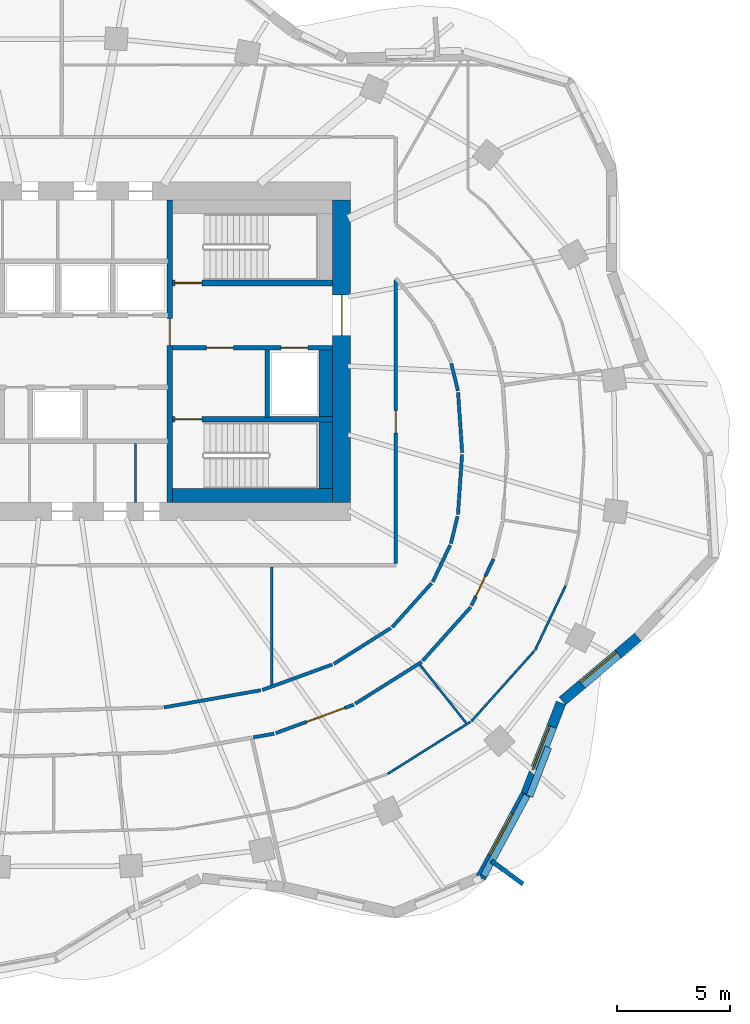
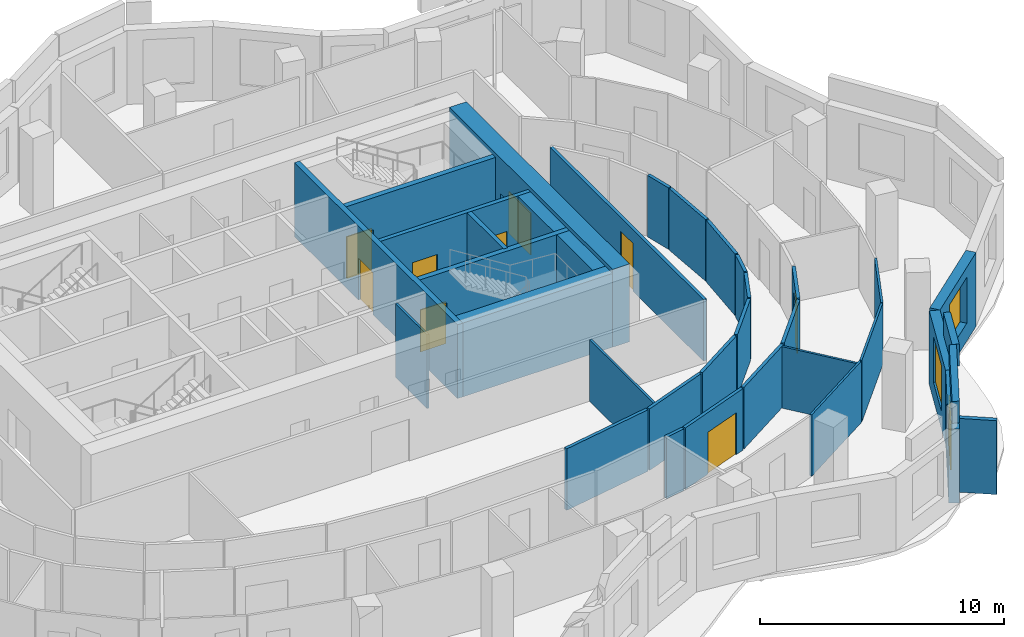
# One storey, part 8 of 13: 36 walls, 9 doors, 3 windows, 12 openings.
"""IFC4 building model written with IfcOpenShell, lengths in metres."""

from ifc_helpers import new_model, si_unit, direction, frame, frame_2d, origin, place, context, subcontext, project, spatial, rectangle, extrude, material, layer, layer_set, type_object, element, fill, save


model = new_model("IFC4")

# Units and contexts
model_context = context("Model", 3, precision=1e-05, world=origin(), true_north=direction((0.0, 1.0)))
body_context = subcontext(model_context, "Body", "Model", "MODEL_VIEW")
ifc_project = project(units=[si_unit("LENGTHUNIT", "METRE"), si_unit("AREAUNIT", "SQUARE_METRE"), si_unit("VOLUMEUNIT", "CUBIC_METRE"), si_unit("PLANEANGLEUNIT", "RADIAN"), si_unit("MASSUNIT", "GRAM", prefix="KILO")], contexts=[model_context])

# Site, building, storey
site_placement = place(None, origin())
site = spatial("IfcSite", under=ifc_project, at=site_placement, CompositionType="ELEMENT")
building_placement = place(site_placement, origin())
building = spatial("IfcBuilding", under=site, at=building_placement, Name="Rubra Terraces Tower", CompositionType="ELEMENT")
storey_placement = place(building_placement, frame((0.0, 0.0, 189.60009765625)))
storey = spatial("IfcBuildingStorey", under=building, at=storey_placement, Name="L46", CompositionType="ELEMENT", Elevation=189.60009765625)

# Wall, opening, window
ifc_material_1 = material(Name="Brick masonry red-brown", Category="masonry")
ifc_layer_1 = layer(ifc_material_1, 0.449951171875)
ifc_layer_set_1 = layer_set([ifc_layer_1], Name="Brick masonry red-brown")
wall_type_1 = type_object("IfcWallType", Name="Brick facade wall 450", PredefinedType="SOLIDWALL", material=ifc_layer_set_1)
wall_1_placement = place(storey_placement, frame((18.767333984375, -18.8544921875, 0.0), z_axis=(0.0, 0.0, 1.0), x_axis=(0.474475888716, 0.880268499395, 0.0)))
wall_1 = element("IfcWall", 1, at=wall_1_placement, inside=storey, type_object=wall_type_1, Name="Facade wall L46 bay 36", PredefinedType="SOLIDWALL", context=body_context, shape_type="SweptSolid", body=[
    extrude(rectangle(XDim=4.21923828125, YDim=0.449951171875, at=frame_2d((2.109619140625, 0.0))), origin(), (0.0, 0.0, 1.0), 3.699951171875),
])
opening_1_placement = place(wall_1_placement, frame((1.059814453125, 0.0, 0.89990234375)))
opening_1 = element("IfcOpeningElement", 2, at=opening_1_placement, cuts=wall_1, Name="Opening W1B", PredefinedType="OPENING", context=body_context, shape_type="SweptSolid", body=[
    extrude(rectangle(XDim=2.10009765625, YDim=2.300048828125, at=frame_2d((1.050048828125, 1.14990234375))), frame((0.0, 0.23486328125, 0.0), z_axis=(0.0, -1.0, 0.0), x_axis=(1.0, 0.0, 0.0)), (0.0, 0.0, 1.0), 0.469970703125),
])
ifc_material_2 = material(Name="Clear glass in aluminium frame", Category="aluminium")
window_type = type_object("IfcWindowType", Name="Fixed deep-set window tall storey 2100 x 2300", PartitioningType="SINGLE_PANEL", PredefinedType="WINDOW", material=ifc_material_2)
window_1_placement = place(opening_1_placement, origin())
window_1 = element("IfcWindow", 3, at=window_1_placement, inside=storey, type_object=window_type, Name="Window L46 bay 36", OverallHeight=2.300048828125, OverallWidth=2.10009765625, PartitioningType="SINGLE_PANEL", PredefinedType="WINDOW", context=body_context, shape_type="SweptSolid", body=[
    extrude(rectangle(XDim=2.10009765625, YDim=2.300048828125, at=frame_2d((1.050048828125, 1.14990234375))), frame((0.0, 0.135009765625, 0.0), z_axis=(0.0, -1.0, 0.0), x_axis=(1.0, 0.0, 0.0)), (0.0, 0.0, 1.0), 0.06005859375),
])
fill(opening_1, window_1)

wall_2_placement = place(storey_placement, frame((20.757080078125, -15.166015625, 0.0), z_axis=(0.0, 0.0, 1.0), x_axis=(0.360067043581, 0.932926430179, 0.0)))
wall_2 = element("IfcWall", 4, at=wall_2_placement, inside=storey, type_object=wall_type_1, Name="Facade wall L46 bay 37", PredefinedType="SOLIDWALL", context=body_context, shape_type="SweptSolid", body=[
    extrude(rectangle(XDim=4.35986328125, YDim=0.449951171875, at=frame_2d((2.179931640625, 0.0))), origin(), (0.0, 0.0, 1.0), 3.699951171875),
])
opening_2_placement = place(wall_2_placement, frame((1.1298828125, 0.0, 0.89990234375)))
opening_2 = element("IfcOpeningElement", 5, at=opening_2_placement, cuts=wall_2, Name="Opening W1B", PredefinedType="OPENING", context=body_context, shape_type="SweptSolid", body=[
    extrude(rectangle(XDim=2.10009765625, YDim=2.300048828125, at=frame_2d((1.050048828125, 1.14990234375))), frame((0.0, 0.23486328125, 0.0), z_axis=(0.0, -1.0, 0.0), x_axis=(1.0, 0.0, 0.0)), (0.0, 0.0, 1.0), 0.469970703125),
])
window_2_placement = place(opening_2_placement, origin())
window_2 = element("IfcWindow", 6, at=window_2_placement, inside=storey, type_object=window_type, Name="Window L46 bay 37", OverallHeight=2.300048828125, OverallWidth=2.10009765625, PartitioningType="SINGLE_PANEL", PredefinedType="WINDOW", context=body_context, shape_type="SweptSolid", body=[
    extrude(rectangle(XDim=2.10009765625, YDim=2.300048828125, at=frame_2d((1.050048828125, 1.14990234375))), frame((0.0, 0.135009765625, 0.0), z_axis=(0.0, -1.0, 0.0), x_axis=(1.0, 0.0, 0.0)), (0.0, 0.0, 1.0), 0.06005859375),
])
fill(opening_2, window_2)

wall_3_placement = place(storey_placement, frame((22.385986328125, -11.014404296875, 0.0), z_axis=(0.0, 0.0, 1.0), x_axis=(0.763569952162, 0.645725118108, 0.0)))
wall_3 = element("IfcWall", 7, at=wall_3_placement, inside=storey, type_object=wall_type_1, Name="Facade wall L46 bay 38", PredefinedType="SOLIDWALL", context=body_context, shape_type="SweptSolid", body=[
    extrude(rectangle(XDim=4.3857421875, YDim=0.449951171875, at=frame_2d((2.19287109375, 0.0))), origin(), (0.0, 0.0, 1.0), 3.699951171875),
])
opening_3_placement = place(wall_3_placement, frame((1.14306640625, 0.0, 0.89990234375)))
opening_3 = element("IfcOpeningElement", 8, at=opening_3_placement, cuts=wall_3, Name="Opening W1B", PredefinedType="OPENING", context=body_context, shape_type="SweptSolid", body=[
    extrude(rectangle(XDim=2.10009765625, YDim=2.300048828125, at=frame_2d((1.050048828125, 1.14990234375))), frame((0.0, 0.23486328125, 0.0), z_axis=(0.0, -1.0, 0.0), x_axis=(1.0, 0.0, 0.0)), (0.0, 0.0, 1.0), 0.469970703125),
])
window_3_placement = place(opening_3_placement, origin())
window_3 = element("IfcWindow", 9, at=window_3_placement, inside=storey, type_object=window_type, Name="Window L46 bay 38", OverallHeight=2.300048828125, OverallWidth=2.10009765625, PartitioningType="SINGLE_PANEL", PredefinedType="WINDOW", context=body_context, shape_type="SweptSolid", body=[
    extrude(rectangle(XDim=2.10009765625, YDim=2.300048828125, at=frame_2d((1.050048828125, 1.14990234375))), frame((0.0, 0.135009765625, 0.0), z_axis=(0.0, -1.0, 0.0), x_axis=(1.0, 0.0, 0.0)), (0.0, 0.0, 1.0), 0.06005859375),
])
fill(opening_3, window_3)

# Walls
ifc_layer_2 = layer(ifc_material_1, 0.300048828125)
ifc_layer_set_2 = layer_set([ifc_layer_2], Name="Brick masonry red-brown")
wall_type_2 = type_object("IfcWallType", Name="Brick parapet 300", PredefinedType="PARAPET", material=ifc_layer_set_2)
wall_4_placement = place(storey_placement, frame((18.896484375, -18.7734375, 3.89990234375), z_axis=(0.0, 0.0, 1.0), x_axis=(0.474444905835, 0.880285198857, 0.0)))
element("IfcWall", 10, at=wall_4_placement, inside=storey, type_object=wall_type_2, Name="Parapet L46 bay 36", PredefinedType="PARAPET", context=body_context, shape_type="SweptSolid", body=[
    extrude(rectangle(XDim=4.0498046875, YDim=0.300048828125, at=frame_2d((2.02490234375, 0.0))), origin(), (0.0, 0.0, 1.0), 1.10009765625),
])
wall_5_placement = place(storey_placement, frame((20.932861328125, -15.236572265625, 3.89990234375), z_axis=(0.0, 0.0, 1.0), x_axis=(0.360021038217, 0.932944184848, 0.0)))
element("IfcWall", 11, at=wall_5_placement, inside=storey, type_object=wall_type_2, Name="Parapet L46 bay 37", PredefinedType="PARAPET", context=body_context, shape_type="SweptSolid", body=[
    extrude(rectangle(XDim=2.3232421875, YDim=0.300048828125, at=frame_2d((1.16162109375, 0.0))), origin(), (0.0, 0.0, 1.0), 1.10009765625),
])
ifc_layer_3 = layer(ifc_material_1, 0.199951171875)
ifc_layer_set_3 = layer_set([ifc_layer_3], Name="Brick masonry red-brown")
wall_type_3 = type_object("IfcWallType", Name="Brick wind fin 200", PredefinedType="SOLIDWALL", material=ifc_layer_set_3)
wall_6_placement = place(storey_placement, frame((19.23095703125, -18.09912109375, 0.0), z_axis=(0.0, 0.0, 1.0), x_axis=(0.806085538754, -0.591799040394, 0.0)))
element("IfcWall", 12, at=wall_6_placement, inside=storey, type_object=wall_type_3, Name="Wind fin L46 17", PredefinedType="SOLIDWALL", context=body_context, shape_type="SweptSolid", body=[
    extrude(rectangle(XDim=1.75, YDim=0.199951171875, at=frame_2d((0.875, 0.0))), origin(), (0.0, 0.0, 1.0), 3.699951171875),
])

# Wall, opening, door
ifc_material_3 = material(Name="Concrete C50", Category="concrete")
ifc_layer_4 = layer(ifc_material_3, 0.800048828125)
ifc_layer_set_4 = layer_set([ifc_layer_4], Name="Concrete C50")
wall_type_4 = type_object("IfcWallType", Name="CORE WALL 800 C50", PredefinedType="SHEAR", material=ifc_layer_set_4)
wall_7_placement = place(storey_placement, frame((12.60009765625, -2.199951171875, 0.0), z_axis=(0.0, 0.0, 1.0), x_axis=(0.0, 1.0, 0.0)))
wall_7 = element("IfcWall", 13, at=wall_7_placement, inside=storey, type_object=wall_type_4, Name="CORE WALL E L46", PredefinedType="SHEAR", context=body_context, shape_type="SweptSolid", body=[
    extrude(rectangle(XDim=13.39990234375, YDim=0.800048828125, at=frame_2d((6.699951171875, 0.0))), origin(), (0.0, 0.0, 1.0), 3.89990234375),
])
opening_4_placement = place(wall_7_placement, frame((7.39990234375, 0.0, 0.0)))
opening_4 = element("IfcOpeningElement", 14, at=opening_4_placement, cuts=wall_7, Name="Opening L46.C02", PredefinedType="OPENING", context=body_context, shape_type="SweptSolid", body=[
    extrude(rectangle(XDim=1.800048828125, YDim=2.10009765625, at=frame_2d((0.89990234375, 1.050048828125))), frame((0.0, 0.409912109375, 0.0), z_axis=(0.0, -1.0, 0.0), x_axis=(1.0, 0.0, 0.0)), (0.0, 0.0, 1.0), 0.820068359375),
])
ifc_material_4 = material(Name="Painted steel", Category="steel")
door_type_1 = type_object("IfcDoorType", Name="Fire door 1800x2100 double", OperationType="NOTDEFINED", PredefinedType="DOOR", material=ifc_material_4)
door_1_placement = place(opening_4_placement, origin())
door_1 = element("IfcDoor", 15, at=door_1_placement, inside=storey, type_object=door_type_1, Name="Core entrance door FF2", OperationType="DOUBLE_DOOR_SINGLE_SWING", OverallHeight=2.10009765625, OverallWidth=1.800048828125, PredefinedType="DOOR", context=body_context, shape_type="SweptSolid", body=[
    extrude(rectangle(XDim=1.800048828125, YDim=2.10009765625, at=frame_2d((0.89990234375, 1.050048828125))), frame((0.0, 0.02490234375, 0.0), z_axis=(0.0, -1.0, 0.0), x_axis=(1.0, 0.0, 0.0)), (0.0, 0.0, 1.0), 0.050048828125),
])
fill(opening_4, door_1)

# Wall
ifc_material_5 = material(Name="Plasterboard on steel stud, mineral wool infill", Category="steel")
ifc_layer_5 = layer(ifc_material_5, 0.14990234375)
ifc_layer_set_5 = layer_set([ifc_layer_5], Name="Plasterboard on steel stud, mineral wool infill")
wall_type_5 = type_object("IfcWallType", Name="CORRIDOR PARTITION 150", PredefinedType="PARTITIONING", material=ifc_layer_set_5)
wall_8_placement = place(storey_placement, frame((8.684326171875, -12.626953125, 0.0), z_axis=(0.0, 0.0, 1.0), x_axis=(0.984625439098, 0.174678976069, 0.0)))
element("IfcWall", 16, at=wall_8_placement, inside=storey, type_object=wall_type_5, Name="PARTITION", PredefinedType="PARTITIONING", context=body_context, shape_type="SweptSolid", body=[
    extrude(rectangle(XDim=0.93505859375, YDim=0.14990234375, at=frame_2d((0.467529296875, 0.0))), origin(), (0.0, 0.0, 1.0), 3.083984375),
])

# Wall, opening, door
wall_9_placement = place(storey_placement, frame((9.675537109375, -12.43798828125, 0.0), z_axis=(0.0, 0.0, 1.0), x_axis=(0.939640289748, 0.342163887461, 0.0)))
wall_9 = element("IfcWall", 17, at=wall_9_placement, inside=storey, type_object=wall_type_5, Name="PARTITION", PredefinedType="PARTITIONING", context=body_context, shape_type="SweptSolid", body=[
    extrude(rectangle(XDim=3.6796875, YDim=0.14990234375, at=frame_2d((1.83984375, 0.0))), origin(), (0.0, 0.0, 1.0), 3.083984375),
])
opening_5_placement = place(wall_9_placement, frame((1.449951171875, 0.0, 0.0)))
opening_5 = element("IfcOpeningElement", 18, at=opening_5_placement, cuts=wall_9, Name="Opening 46-112", PredefinedType="OPENING", context=body_context, shape_type="SweptSolid", body=[
    extrude(rectangle(XDim=1.800048828125, YDim=2.10009765625, at=frame_2d((0.89990234375, 1.050048828125))), frame((0.0, 0.0849609375, 0.0), z_axis=(0.0, -1.0, 0.0), x_axis=(1.0, 0.0, 0.0)), (0.0, 0.0, 1.0), 0.169921875),
])
ifc_material_6 = material(Name="Painted timber door leaf, double", Category="wood")
door_type_2 = type_object("IfcDoorType", Name="ROOM DOUBLE DOOR 1800 X 2100", OperationType="DOUBLE_DOOR_SINGLE_SWING", PredefinedType="DOOR", material=ifc_material_6)
door_2_placement = place(opening_5_placement, origin())
door_2 = element("IfcDoor", 19, at=door_2_placement, inside=storey, type_object=door_type_2, Name="DOOR 46-112", OperationType="DOUBLE_DOOR_SINGLE_SWING", OverallHeight=2.10009765625, OverallWidth=1.800048828125, PredefinedType="DOOR", context=body_context, shape_type="SweptSolid", body=[
    extrude(rectangle(XDim=1.800048828125, YDim=2.10009765625, at=frame_2d((0.89990234375, 1.050048828125))), frame((0.0, 0.02490234375, 0.0), z_axis=(0.0, -1.0, 0.0), x_axis=(1.0, 0.0, 0.0)), (0.0, 0.0, 1.0), 0.050048828125),
])
fill(opening_5, door_2)

# Walls
wall_10_placement = place(storey_placement, frame((13.196533203125, -11.138916015625, 0.0), z_axis=(0.0, 0.0, 1.0), x_axis=(0.846390903833, 0.532562144644, 0.0)))
element("IfcWall", 20, at=wall_10_placement, inside=storey, type_object=wall_type_5, Name="PARTITION", PredefinedType="PARTITIONING", context=body_context, shape_type="SweptSolid", body=[
    extrude(rectangle(XDim=3.481201171875, YDim=0.14990234375, at=frame_2d((1.74072265625, 0.0))), origin(), (0.0, 0.0, 1.0), 3.083984375),
])
wall_11_placement = place(storey_placement, frame((16.193115234375, -9.22900390625, 0.0), z_axis=(0.0, 0.0, 1.0), x_axis=(0.666882089048, 0.745163256815, 0.0)))
element("IfcWall", 21, at=wall_11_placement, inside=storey, type_object=wall_type_5, Name="PARTITION", PredefinedType="PARTITIONING", context=body_context, shape_type="SweptSolid", body=[
    extrude(rectangle(XDim=3.1904296875, YDim=0.14990234375, at=frame_2d((1.59521484375, 0.0))), origin(), (0.0, 0.0, 1.0), 3.083984375),
])

# Wall, opening, door
wall_12_placement = place(storey_placement, frame((18.35302734375, -6.78369140625, 0.0), z_axis=(0.0, 0.0, 1.0), x_axis=(0.428086344739, 0.903737838894, 0.0)))
wall_12 = element("IfcWall", 22, at=wall_12_placement, inside=storey, type_object=wall_type_5, Name="PARTITION", PredefinedType="PARTITIONING", context=body_context, shape_type="SweptSolid", body=[
    extrude(rectangle(XDim=2.299560546875, YDim=0.14990234375, at=frame_2d((1.14990234375, 0.0))), origin(), (0.0, 0.0, 1.0), 3.083984375),
])
opening_6_placement = place(wall_12_placement, frame((0.449951171875, 0.0, 0.0)))
opening_6 = element("IfcOpeningElement", 23, at=opening_6_placement, cuts=wall_12, Name="Opening 46-113", PredefinedType="OPENING", context=body_context, shape_type="SweptSolid", body=[
    extrude(rectangle(XDim=1.0, YDim=2.39990234375, at=frame_2d((0.5, 1.199951171875))), frame((0.0, 0.0849609375, 0.0), z_axis=(0.0, -1.0, 0.0), x_axis=(1.0, 0.0, 0.0)), (0.0, 0.0, 1.0), 0.169921875),
])
ifc_material_7 = material(Name="Glazed aluminium meeting door leaf", Category="aluminium")
door_type_3 = type_object("IfcDoorType", Name="MEETING ROOM GLAZED DOOR 1000 X 2400", OperationType="SINGLE_SWING_LEFT", PredefinedType="DOOR", material=ifc_material_7)
door_3_placement = place(opening_6_placement, origin())
door_3 = element("IfcDoor", 24, at=door_3_placement, inside=storey, type_object=door_type_3, Name="DOOR 46-113", OperationType="SINGLE_SWING_RIGHT", OverallHeight=2.39990234375, OverallWidth=1.0, PredefinedType="DOOR", context=body_context, shape_type="SweptSolid", body=[
    extrude(rectangle(XDim=1.0, YDim=2.39990234375, at=frame_2d((0.5, 1.199951171875))), frame((0.0, 0.02490234375, 0.0), z_axis=(0.0, -1.0, 0.0), x_axis=(1.0, 0.0, 0.0)), (0.0, 0.0, 1.0), 0.050048828125),
])
fill(opening_6, door_3)

# Walls
wall_13_placement = place(storey_placement, frame((17.46044921875, 3.9609375, 0.0), z_axis=(0.0, 0.0, 1.0), x_axis=(0.236655249498, -0.971593687137, 0.0)))
element("IfcWall", 25, at=wall_13_placement, inside=storey, type_object=wall_type_5, Name="PARTITION", PredefinedType="PARTITIONING", context=body_context, shape_type="SweptSolid", body=[
    extrude(rectangle(XDim=1.25146484375, YDim=0.14990234375, at=frame_2d((0.625732421875, 0.0))), origin(), (0.0, 0.0, 1.0), 3.083984375),
])
wall_14_placement = place(storey_placement, frame((17.76171875, 2.67041015625, 0.0), z_axis=(0.0, 0.0, 1.0), x_axis=(0.068135311644, -0.997676089373, 0.0)))
element("IfcWall", 26, at=wall_14_placement, inside=storey, type_object=wall_type_5, Name="PARTITION", PredefinedType="PARTITIONING", context=body_context, shape_type="SweptSolid", body=[
    extrude(rectangle(XDim=2.676513671875, YDim=0.14990234375, at=frame_2d((1.33837890625, 0.0))), origin(), (0.0, 0.0, 1.0), 3.083984375),
])
wall_15_placement = place(storey_placement, frame((17.939208984375, -0.07470703125, 0.0), z_axis=(0.0, 0.0, 1.0), x_axis=(-0.068226099283, -0.99766988497, 0.0)))
element("IfcWall", 27, at=wall_15_placement, inside=storey, type_object=wall_type_5, Name="PARTITION", PredefinedType="PARTITIONING", context=body_context, shape_type="SweptSolid", body=[
    extrude(rectangle(XDim=2.6767578125, YDim=0.14990234375, at=frame_2d((1.33837890625, 0.0))), origin(), (0.0, 0.0, 1.0), 3.083984375),
])
wall_16_placement = place(storey_placement, frame((17.739013671875, -2.818115234375, 0.0), z_axis=(0.0, 0.0, 1.0), x_axis=(-0.236884307907, -0.971537865792, 0.0)))
element("IfcWall", 28, at=wall_16_placement, inside=storey, type_object=wall_type_5, Name="PARTITION", PredefinedType="PARTITIONING", context=body_context, shape_type="SweptSolid", body=[
    extrude(rectangle(XDim=1.251220703125, YDim=0.14990234375, at=frame_2d((0.62548828125, 0.0))), origin(), (0.0, 0.0, 1.0), 3.083984375),
])
wall_17_placement = place(storey_placement, frame((17.410400390625, -4.1015625, 0.0), z_axis=(0.0, 0.0, 1.0), x_axis=(-0.428074720318, -0.903743345107, 0.0)))
element("IfcWall", 29, at=wall_17_placement, inside=storey, type_object=wall_type_5, Name="PARTITION", PredefinedType="PARTITIONING", context=body_context, shape_type="SweptSolid", body=[
    extrude(rectangle(XDim=1.8056640625, YDim=0.14990234375, at=frame_2d((0.90283203125, 0.0))), origin(), (0.0, 0.0, 1.0), 3.083984375),
])
wall_18_placement = place(storey_placement, frame((16.58740234375, -5.789306640625, 0.0), z_axis=(0.0, 0.0, 1.0), x_axis=(-0.666887460656, -0.745158449472, 0.0)))
element("IfcWall", 30, at=wall_18_placement, inside=storey, type_object=wall_type_5, Name="PARTITION", PredefinedType="PARTITIONING", context=body_context, shape_type="SweptSolid", body=[
    extrude(rectangle(XDim=2.6201171875, YDim=0.14990234375, at=frame_2d((1.31005859375, 0.0))), origin(), (0.0, 0.0, 1.0), 3.083984375),
])
wall_19_placement = place(storey_placement, frame((14.776611328125, -7.781494140625, 0.0), z_axis=(0.0, 0.0, 1.0), x_axis=(-0.846359741043, -0.532611667862, 0.0)))
element("IfcWall", 31, at=wall_19_placement, inside=storey, type_object=wall_type_5, Name="PARTITION", PredefinedType="PARTITIONING", context=body_context, shape_type="SweptSolid", body=[
    extrude(rectangle(XDim=2.9873046875, YDim=0.14990234375, at=frame_2d((1.49365234375, 0.0))), origin(), (0.0, 0.0, 1.0), 3.083984375),
])
wall_20_placement = place(storey_placement, frame((12.177734375, -9.398193359375, 0.0), z_axis=(0.0, 0.0, 1.0), x_axis=(-0.939609240084, -0.342249143093, 0.0)))
element("IfcWall", 32, at=wall_20_placement, inside=storey, type_object=wall_type_5, Name="PARTITION", PredefinedType="PARTITIONING", context=body_context, shape_type="SweptSolid", body=[
    extrude(rectangle(XDim=3.2919921875, YDim=0.14990234375, at=frame_2d((1.64599609375, 0.0))), origin(), (0.0, 0.0, 1.0), 3.083984375),
])
wall_21_placement = place(storey_placement, frame((9.010498046875, -10.5380859375, 0.0), z_axis=(0.0, 0.0, 1.0), x_axis=(-0.984645638575, -0.174565077936, 0.0)))
element("IfcWall", 33, at=wall_21_placement, inside=storey, type_object=wall_type_5, Name="PARTITION", PredefinedType="PARTITIONING", context=body_context, shape_type="SweptSolid", body=[
    extrude(rectangle(XDim=4.35791015625, YDim=0.14990234375, at=frame_2d((2.178955078125, 0.0))), origin(), (0.0, 0.0, 1.0), 3.083984375),
])

# Wall, opening, door
wall_22_placement = place(storey_placement, frame((15.0, -4.925048828125, 0.0), z_axis=(0.0, 0.0, 1.0), x_axis=(0.0, 1.0, 0.0)))
wall_22 = element("IfcWall", 34, at=wall_22_placement, inside=storey, type_object=wall_type_5, Name="PARTITION", PredefinedType="PARTITIONING", context=body_context, shape_type="SweptSolid", body=[
    extrude(rectangle(XDim=12.5830078125, YDim=0.14990234375, at=frame_2d((6.29150390625, 0.0))), origin(), (0.0, 0.0, 1.0), 3.083984375),
])
opening_7_placement = place(wall_22_placement, frame((5.791015625, 0.0, 0.0)))
opening_7 = element("IfcOpeningElement", 35, at=opening_7_placement, cuts=wall_22, Name="Opening 46-121", PredefinedType="OPENING", context=body_context, shape_type="SweptSolid", body=[
    extrude(rectangle(XDim=1.0, YDim=2.39990234375, at=frame_2d((0.5, 1.199951171875))), frame((0.0, 0.0849609375, 0.0), z_axis=(0.0, -1.0, 0.0), x_axis=(1.0, 0.0, 0.0)), (0.0, 0.0, 1.0), 0.169921875),
])
door_4_placement = place(opening_7_placement, origin())
door_4 = element("IfcDoor", 36, at=door_4_placement, inside=storey, type_object=door_type_3, Name="DOOR 46-121", OperationType="SINGLE_SWING_RIGHT", OverallHeight=2.39990234375, OverallWidth=1.0, PredefinedType="DOOR", context=body_context, shape_type="SweptSolid", body=[
    extrude(rectangle(XDim=1.0, YDim=2.39990234375, at=frame_2d((0.5, 1.199951171875))), frame((0.0, 0.02490234375, 0.0), z_axis=(0.0, -1.0, 0.0), x_axis=(1.0, 0.0, 0.0)), (0.0, 0.0, 1.0), 0.050048828125),
])
fill(opening_7, door_4)

# Walls
ifc_material_8 = material(Name="Concrete C40", Category="concrete")
ifc_layer_6 = layer(ifc_material_8, 0.60009765625)
ifc_layer_set_6 = layer_set([ifc_layer_6], Name="Concrete C40")
wall_type_6 = type_object("IfcWallType", Name="Core lining wall 600 concrete", PredefinedType="SOLIDWALL", material=ifc_layer_set_6)
wall_23_placement = place(storey_placement, frame((11.89990234375, 4.550048828125, 0.0), z_axis=(0.0, 0.0, 1.0), x_axis=(0.0, -1.0, 0.0)))
element("IfcWall", 37, at=wall_23_placement, inside=storey, type_object=wall_type_6, Name="CORE LINING WALL L46", PredefinedType="SOLIDWALL", context=body_context, shape_type="SweptSolid", body=[
    extrude(rectangle(XDim=3.0, YDim=0.60009765625, at=frame_2d((1.5, 0.0))), origin(), (0.0, 0.0, 1.0), 3.699951171875),
])
wall_24_placement = place(storey_placement, frame((11.89990234375, 1.35009765625, 0.0), z_axis=(0.0, 0.0, 1.0), x_axis=(0.0, -1.0, 0.0)))
element("IfcWall", 38, at=wall_24_placement, inside=storey, type_object=wall_type_6, Name="CORE LINING WALL L46", PredefinedType="SOLIDWALL", context=body_context, shape_type="SweptSolid", body=[
    extrude(rectangle(XDim=2.9501953125, YDim=0.60009765625, at=frame_2d((1.47509765625, 0.0))), origin(), (0.0, 0.0, 1.0), 3.699951171875),
])
wall_25_placement = place(storey_placement, frame((12.199951171875, -1.89990234375, 0.0), z_axis=(0.0, 0.0, 1.0), x_axis=(-1.0, 0.0, 0.0)))
element("IfcWall", 39, at=wall_25_placement, inside=storey, type_object=wall_type_6, Name="CORE LINING WALL L46", PredefinedType="SOLIDWALL", context=body_context, shape_type="SweptSolid", body=[
    extrude(rectangle(XDim=7.099853515625, YDim=0.60009765625, at=frame_2d((3.5498046875, 0.0))), origin(), (0.0, 0.0, 1.0), 3.699951171875),
])

# Wall, openings, doors
ifc_material_9 = material(Name="Concrete C30", Category="concrete")
ifc_layer_7 = layer(ifc_material_9, 0.199951171875)
ifc_layer_set_7 = layer_set([ifc_layer_7], Name="Concrete C30")
wall_type_7 = type_object("IfcWallType", Name="Core wall 200 concrete", PredefinedType="SOLIDWALL", material=ifc_layer_set_7)
wall_26_placement = place(storey_placement, frame((12.199951171875, 4.64990234375, 0.0), z_axis=(0.0, 0.0, 1.0), x_axis=(-1.0, 0.0, 0.0)))
wall_26 = element("IfcWall", 40, at=wall_26_placement, inside=storey, type_object=wall_type_7, Name="STAIR WALL L46", PredefinedType="SOLIDWALL", context=body_context, shape_type="SweptSolid", body=[
    extrude(rectangle(XDim=7.099853515625, YDim=0.199951171875, at=frame_2d((3.5498046875, 0.0))), origin(), (0.0, 0.0, 1.0), 3.699951171875),
])
opening_8_placement = place(wall_26_placement, frame((4.39990234375, 0.0, 0.0)))
opening_8 = element("IfcOpeningElement", 41, at=opening_8_placement, cuts=wall_26, Name="Opening L46.C06", PredefinedType="OPENING", context=body_context, shape_type="SweptSolid", body=[
    extrude(rectangle(XDim=1.199951171875, YDim=2.10009765625, at=frame_2d((0.60009765625, 1.050048828125))), frame((0.0, 0.10986328125, 0.0), z_axis=(0.0, -1.0, 0.0), x_axis=(1.0, 0.0, 0.0)), (0.0, 0.0, 1.0), 0.219970703125),
])
opening_9_placement = place(wall_26_placement, frame((1.10009765625, 0.0, 0.0)))
opening_9 = element("IfcOpeningElement", 42, at=opening_9_placement, cuts=wall_26, Name="Opening L46.C12", PredefinedType="OPENING", context=body_context, shape_type="SweptSolid", body=[
    extrude(rectangle(XDim=1.199951171875, YDim=2.10009765625, at=frame_2d((0.60009765625, 1.050048828125))), frame((0.0, 0.10986328125, 0.0), z_axis=(0.0, -1.0, 0.0), x_axis=(1.0, 0.0, 0.0)), (0.0, 0.0, 1.0), 0.219970703125),
])
door_type_4 = type_object("IfcDoorType", Name="Fire door 1200x2100 single", OperationType="NOTDEFINED", PredefinedType="DOOR", material=ifc_material_4)
door_5_placement = place(opening_8_placement, origin())
door_5 = element("IfcDoor", 43, at=door_5_placement, inside=storey, type_object=door_type_4, Name="Stair vestibule door S4", OperationType="SINGLE_SWING_RIGHT", OverallHeight=2.10009765625, OverallWidth=1.199951171875, PredefinedType="DOOR", context=body_context, shape_type="SweptSolid", body=[
    extrude(rectangle(XDim=1.199951171875, YDim=2.10009765625, at=frame_2d((0.60009765625, 1.050048828125))), frame((0.0, 0.02490234375, 0.0), z_axis=(0.0, -1.0, 0.0), x_axis=(1.0, 0.0, 0.0)), (0.0, 0.0, 1.0), 0.050048828125),
])
fill(opening_8, door_5)
ifc_material_10 = material(Name="Stainless steel", Category="steel")
door_type_5 = type_object("IfcDoorType", Name="Lift landing door 1200x2100", OperationType="NOTDEFINED", PredefinedType="DOOR", material=ifc_material_10)
door_6_placement = place(opening_9_placement, origin())
door_6 = element("IfcDoor", 44, at=door_6_placement, inside=storey, type_object=door_type_5, Name="Landing door FF2", OperationType="SLIDING_TO_RIGHT", OverallHeight=2.10009765625, OverallWidth=1.199951171875, PredefinedType="DOOR", context=body_context, shape_type="SweptSolid", body=[
    extrude(rectangle(XDim=1.199951171875, YDim=2.10009765625, at=frame_2d((0.60009765625, 1.050048828125))), frame((0.0, 0.02490234375, 0.0), z_axis=(0.0, -1.0, 0.0), x_axis=(1.0, 0.0, 0.0)), (0.0, 0.0, 1.0), 0.050048828125),
])
fill(opening_9, door_6)

# Walls
wall_27_placement = place(storey_placement, frame((9.300048828125, 4.550048828125, 0.0), z_axis=(0.0, 0.0, 1.0), x_axis=(0.0, -1.0, 0.0)))
element("IfcWall", 45, at=wall_27_placement, inside=storey, type_object=wall_type_7, Name="STAIR WALL L46", PredefinedType="SOLIDWALL", context=body_context, shape_type="SweptSolid", body=[
    extrude(rectangle(XDim=3.0, YDim=0.199951171875, at=frame_2d((1.5, 0.0))), origin(), (0.0, 0.0, 1.0), 3.699951171875),
])
ifc_material_11 = material(Name="Plasterboard on steel stud", Category="steel")
ifc_layer_8 = layer(ifc_material_11, 0.10009765625)
ifc_layer_set_8 = layer_set([ifc_layer_8], Name="Plasterboard on steel stud")
wall_type_8 = type_object("IfcWallType", Name="ROOM PARTITION 100", PredefinedType="PARTITIONING", material=ifc_layer_set_8)
wall_28_placement = place(storey_placement, frame((22.537109375, -5.892822265625, 0.0), z_axis=(0.0, 0.0, 1.0), x_axis=(-0.428099612517, -0.903731554037, 0.0)))
element("IfcWall", 46, at=wall_28_placement, inside=storey, type_object=wall_type_8, Name="PARTITION", PredefinedType="PARTITIONING", context=body_context, shape_type="SweptSolid", body=[
    extrude(rectangle(XDim=3.1640625, YDim=0.10009765625, at=frame_2d((1.58203125, 0.0))), origin(), (0.0, 0.0, 1.0), 3.083984375),
])
wall_29_placement = place(storey_placement, frame((21.1494140625, -8.789306640625, 0.0), z_axis=(0.0, 0.0, 1.0), x_axis=(-0.666915902537, -0.745132994132, 0.0)))
element("IfcWall", 47, at=wall_29_placement, inside=storey, type_object=wall_type_8, Name="PARTITION", PredefinedType="PARTITIONING", context=body_context, shape_type="SweptSolid", body=[
    extrude(rectangle(XDim=4.185791015625, YDim=0.10009765625, at=frame_2d((2.0927734375, 0.0))), origin(), (0.0, 0.0, 1.0), 3.083984375),
])
wall_30_placement = place(storey_placement, frame((18.315673828125, -11.934814453125, 0.0), z_axis=(0.0, 0.0, 1.0), x_axis=(-0.84637539713, -0.532586788358, 0.0)))
element("IfcWall", 48, at=wall_30_placement, inside=storey, type_object=wall_type_8, Name="PARTITION", PredefinedType="PARTITIONING", context=body_context, shape_type="SweptSolid", body=[
    extrude(rectangle(XDim=4.34619140625, YDim=0.10009765625, at=frame_2d((2.173095703125, 0.0))), origin(), (0.0, 0.0, 1.0), 3.083984375),
])
wall_31_placement = place(storey_placement, frame((16.076416015625, -9.414794921875, 0.0), z_axis=(0.0, 0.0, 1.0), x_axis=(0.621346089483, -0.783536238526, 0.0)))
element("IfcWall", 49, at=wall_31_placement, inside=storey, type_object=wall_type_8, Name="PARTITION", PredefinedType="PARTITIONING", context=body_context, shape_type="SweptSolid", body=[
    extrude(rectangle(XDim=3.295166015625, YDim=0.10009765625, at=frame_2d((1.6474609375, 0.0))), origin(), (0.0, 0.0, 1.0), 3.083984375),
])
wall_32_placement = place(storey_placement, frame((9.5, -10.298583984375, 0.0), z_axis=(0.0, 0.0, 1.0), x_axis=(0.0, 1.0, 0.0)))
element("IfcWall", 50, at=wall_32_placement, inside=storey, type_object=wall_type_8, Name="PARTITION", PredefinedType="PARTITIONING", context=body_context, shape_type="SweptSolid", body=[
    extrude(rectangle(XDim=5.2236328125, YDim=0.10009765625, at=frame_2d((2.61181640625, 0.0))), origin(), (0.0, 0.0, 1.0), 3.083984375),
])
ifc_material_12 = material(Name="Blockwork", Category="masonry")
ifc_layer_9 = layer(ifc_material_12, 0.10009765625)
ifc_layer_set_9 = layer_set([ifc_layer_9], Name="Blockwork")
wall_type_9 = type_object("IfcWallType", Name="Service partition 100 blockwork", PredefinedType="PARTITIONING", material=ifc_layer_set_9)
wall_33_placement = place(storey_placement, frame((3.449951171875, -2.199951171875, 0.0), z_axis=(0.0, 0.0, 1.0), x_axis=(0.0, 1.0, 0.0)))
element("IfcWall", 51, at=wall_33_placement, inside=storey, type_object=wall_type_9, Name="SERVICE ROOM PARTITION L46", PredefinedType="PARTITIONING", context=body_context, shape_type="SweptSolid", body=[
    extrude(rectangle(XDim=2.599853515625, YDim=0.10009765625, at=frame_2d((1.2998046875, 0.0))), origin(), (0.0, 0.0, 1.0), 3.699951171875),
])

# Wall, opening, door
ifc_layer_10 = layer(ifc_material_8, 0.25)
ifc_layer_set_10 = layer_set([ifc_layer_10], Name="Concrete C40")
wall_type_10 = type_object("IfcWallType", Name="Stair enclosure wall 250 concrete", PredefinedType="SOLIDWALL", material=ifc_layer_set_10)
wall_34_placement = place(storey_placement, frame((12.199951171875, 7.52490234375, 0.0), z_axis=(0.0, 0.0, 1.0), x_axis=(-1.0, 0.0, 0.0)))
wall_34 = element("IfcWall", 52, at=wall_34_placement, inside=storey, type_object=wall_type_10, Name="STAIR WALL L46", PredefinedType="SOLIDWALL", context=body_context, shape_type="SweptSolid", body=[
    extrude(rectangle(XDim=7.099853515625, YDim=0.25, at=frame_2d((3.5498046875, 0.0))), origin(), (0.0, 0.0, 1.0), 3.699951171875),
])
opening_10_placement = place(wall_34_placement, frame((5.800048828125, 0.0, 0.0)))
opening_10 = element("IfcOpeningElement", 53, at=opening_10_placement, cuts=wall_34, Name="Opening L46.C08", PredefinedType="OPENING", context=body_context, shape_type="SweptSolid", body=[
    extrude(rectangle(XDim=1.199951171875, YDim=2.10009765625, at=frame_2d((0.60009765625, 1.050048828125))), frame((0.0, 0.135009765625, 0.0), z_axis=(0.0, -1.0, 0.0), x_axis=(1.0, 0.0, 0.0)), (0.0, 0.0, 1.0), 0.27001953125),
])
door_7_placement = place(opening_10_placement, origin())
door_7 = element("IfcDoor", 54, at=door_7_placement, inside=storey, type_object=door_type_4, Name="Stair door S3", OperationType="SINGLE_SWING_RIGHT", OverallHeight=2.10009765625, OverallWidth=1.199951171875, PredefinedType="DOOR", context=body_context, shape_type="SweptSolid", body=[
    extrude(rectangle(XDim=1.199951171875, YDim=2.10009765625, at=frame_2d((0.60009765625, 1.050048828125))), frame((0.0, 0.02490234375, 0.0), z_axis=(0.0, -1.0, 0.0), x_axis=(1.0, 0.0, 0.0)), (0.0, 0.0, 1.0), 0.050048828125),
])
fill(opening_10, door_7)

wall_35_placement = place(storey_placement, frame((12.199951171875, 1.47509765625, 0.0), z_axis=(0.0, 0.0, 1.0), x_axis=(-1.0, 0.0, 0.0)))
wall_35 = element("IfcWall", 55, at=wall_35_placement, inside=storey, type_object=wall_type_10, Name="STAIR WALL L46", PredefinedType="SOLIDWALL", context=body_context, shape_type="SweptSolid", body=[
    extrude(rectangle(XDim=7.099853515625, YDim=0.25, at=frame_2d((3.5498046875, 0.0))), origin(), (0.0, 0.0, 1.0), 3.699951171875),
])
opening_11_placement = place(wall_35_placement, frame((5.800048828125, 0.0, 0.0)))
opening_11 = element("IfcOpeningElement", 56, at=opening_11_placement, cuts=wall_35, Name="Opening L46.C10", PredefinedType="OPENING", context=body_context, shape_type="SweptSolid", body=[
    extrude(rectangle(XDim=1.199951171875, YDim=2.10009765625, at=frame_2d((0.60009765625, 1.050048828125))), frame((0.0, 0.135009765625, 0.0), z_axis=(0.0, -1.0, 0.0), x_axis=(1.0, 0.0, 0.0)), (0.0, 0.0, 1.0), 0.27001953125),
])
door_8_placement = place(opening_11_placement, origin())
door_8 = element("IfcDoor", 57, at=door_8_placement, inside=storey, type_object=door_type_4, Name="Stair door S4", OperationType="SINGLE_SWING_RIGHT", OverallHeight=2.10009765625, OverallWidth=1.199951171875, PredefinedType="DOOR", context=body_context, shape_type="SweptSolid", body=[
    extrude(rectangle(XDim=1.199951171875, YDim=2.10009765625, at=frame_2d((0.60009765625, 1.050048828125))), frame((0.0, 0.02490234375, 0.0), z_axis=(0.0, -1.0, 0.0), x_axis=(1.0, 0.0, 0.0)), (0.0, 0.0, 1.0), 0.050048828125),
])
fill(opening_11, door_8)

wall_36_placement = place(storey_placement, frame((4.97509765625, 11.199951171875, 0.0), z_axis=(0.0, 0.0, 1.0), x_axis=(0.0, -1.0, 0.0)))
wall_36 = element("IfcWall", 58, at=wall_36_placement, inside=storey, type_object=wall_type_10, Name="CORE LOBBY WALL L46", PredefinedType="SOLIDWALL", context=body_context, shape_type="SweptSolid", body=[
    extrude(rectangle(XDim=13.39990234375, YDim=0.25, at=frame_2d((6.699951171875, 0.0))), origin(), (0.0, 0.0, 1.0), 3.699951171875),
])
opening_12_placement = place(wall_36_placement, frame((5.25, 0.0, 0.0)))
opening_12 = element("IfcOpeningElement", 59, at=opening_12_placement, cuts=wall_36, Name="Opening L46.C04", PredefinedType="OPENING", context=body_context, shape_type="SweptSolid", body=[
    extrude(rectangle(XDim=1.199951171875, YDim=2.10009765625, at=frame_2d((0.60009765625, 1.050048828125))), frame((0.0, 0.135009765625, 0.0), z_axis=(0.0, -1.0, 0.0), x_axis=(1.0, 0.0, 0.0)), (0.0, 0.0, 1.0), 0.27001953125),
])
door_9_placement = place(opening_12_placement, origin())
door_9 = element("IfcDoor", 60, at=door_9_placement, inside=storey, type_object=door_type_4, Name="Firefighting lobby door FF2", OperationType="SINGLE_SWING_RIGHT", OverallHeight=2.10009765625, OverallWidth=1.199951171875, PredefinedType="DOOR", context=body_context, shape_type="SweptSolid", body=[
    extrude(rectangle(XDim=1.199951171875, YDim=2.10009765625, at=frame_2d((0.60009765625, 1.050048828125))), frame((0.0, 0.02490234375, 0.0), z_axis=(0.0, -1.0, 0.0), x_axis=(1.0, 0.0, 0.0)), (0.0, 0.0, 1.0), 0.050048828125),
])
fill(opening_12, door_9)

save(model, "model.ifc")
